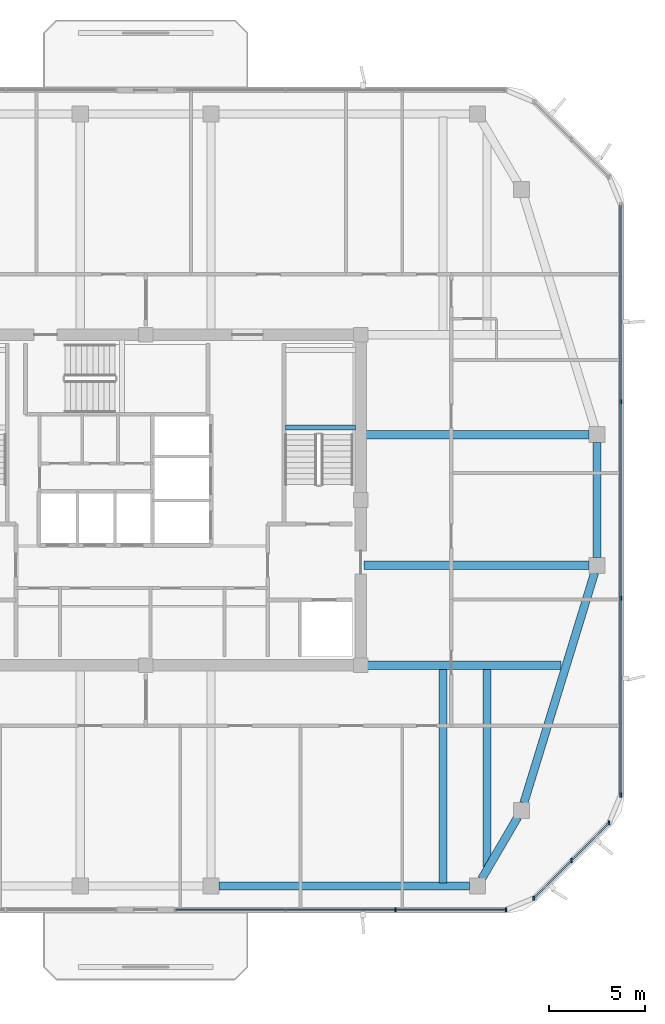
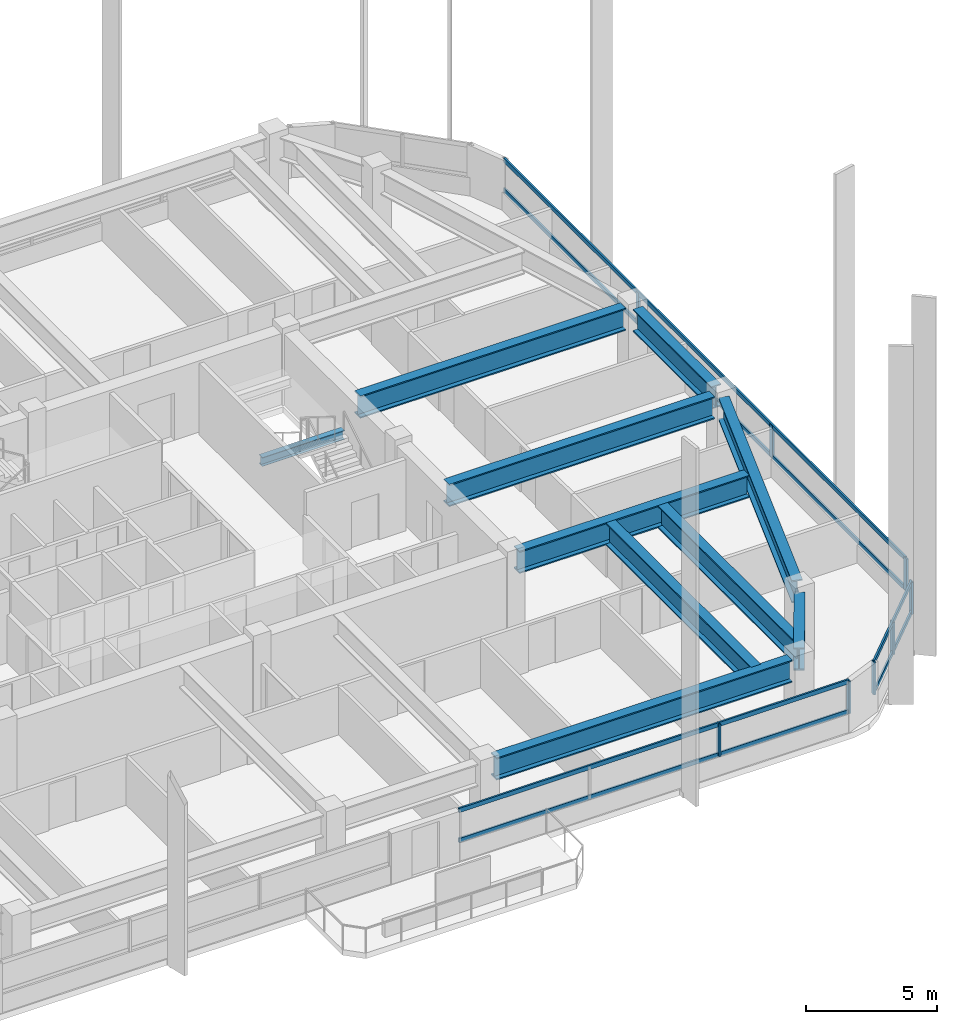
# One storey, part 3 of 13: 14 members, 10 beams, 3 elements without a shape of their own.
"""IFC4 building model written with IfcOpenShell, lengths in metres."""

from ifc_helpers import new_model, si_unit, derived_unit, direction, frame, origin, origin_2d, place, context, subcontext, project, spatial, rectangle, i_section, extrude, material, material_profile, profile_set, type_object, element, aggregate, save


model = new_model("IFC4")

# Units and contexts
model_context = context("Model", 3, precision=1e-05, world=origin(), true_north=direction((0.0, 1.0)))
body_context = subcontext(model_context, "Body", "Model", "MODEL_VIEW")
ifc_project = project(units=[si_unit("LENGTHUNIT", "METRE"), si_unit("AREAUNIT", "SQUARE_METRE"), si_unit("VOLUMEUNIT", "CUBIC_METRE"), si_unit("PLANEANGLEUNIT", "RADIAN"), si_unit("MASSUNIT", "GRAM", prefix="KILO"), derived_unit("THERMALTRANSMITTANCEUNIT", [(si_unit("POWERUNIT", "WATT"), 1), (si_unit("LENGTHUNIT", "METRE"), -2), (si_unit("THERMODYNAMICTEMPERATUREUNIT", "KELVIN"), -1)])], contexts=[model_context])

# Site, building, storey
site_placement = place(None, origin())
site = spatial("IfcSite", under=ifc_project, at=site_placement, CompositionType="ELEMENT")
building_placement = place(site_placement, origin())
building = spatial("IfcBuilding", under=site, at=building_placement, Name="Koralith Skygarden Medical Center", CompositionType="ELEMENT")
storey_placement = place(building_placement, frame((0.0, 0.0, 282.419921875)))
storey = spatial("IfcBuildingStorey", under=building, at=storey_placement, Name="L73", CompositionType="ELEMENT", Elevation=282.419921875)

# Curtain wall, members
ifc_material_1 = material(Name="Clear Laminated Glass", Category="glass")
curtain_wall_type = type_object("IfcCurtainWallType", Name="CW-6 Zone 5 Upper Clinical Curtain Wall", PredefinedType="NOTDEFINED", material=ifc_material_1)
curtain_wall_1_placement = place(storey_placement, origin())
curtain_wall_1 = element("IfcCurtainWall", 1, at=curtain_wall_1_placement, inside=storey, type_object=curtain_wall_type, Name="Curtain Wall CW-L73-S-R", PredefinedType="NOTDEFINED")
ifc_material_2 = material(Name="Aluminium 6063-T6", Category="aluminium")
ifc_material_profile_1 = material_profile(ifc_material_2, rectangle(XDim=0.0830078125, YDim=0.219970703125, at=origin_2d()), Name="MUL83X220")
ifc_profile_set_1 = profile_set([ifc_material_profile_1], Name="Aluminium 6063-T6")
member_type_1 = type_object("IfcMemberType", Name="CW-6 Extruded Mullion 83x220", PredefinedType="MULLION", material=ifc_profile_set_1)
member_1_placement = place(storey_placement, frame((50.010009765625, 4.580078125, 0.85009765625), z_axis=(0.0, 0.0, 1.0), x_axis=(1.0, 0.0, 0.0)))
member_1 = element("IfcMember", 2, at=member_1_placement, type_object=member_type_1, Name="CW-L73-S-R Mullion 3", PredefinedType="MULLION", context=body_context, shape_type="SweptSolid", body=[
    extrude(rectangle(XDim=0.0830078125, YDim=0.219970703125, at=origin_2d()), origin(), (0.0, 0.0, 1.0), 1.5),
])
member_2_placement = place(storey_placement, frame((55.7451171875, 4.580078125, 0.85009765625), z_axis=(0.0, 0.0, 1.0), x_axis=(1.0, 0.0, 0.0)))
member_2 = element("IfcMember", 3, at=member_2_placement, type_object=member_type_1, Name="CW-L73-S-R Mullion 4", PredefinedType="MULLION", context=body_context, shape_type="SweptSolid", body=[
    extrude(rectangle(XDim=0.0830078125, YDim=0.219970703125, at=origin_2d()), origin(), (0.0, 0.0, 1.0), 1.5),
])

curtain_wall_2_placement = place(storey_placement, origin())
curtain_wall_2 = element("IfcCurtainWall", 4, at=curtain_wall_2_placement, inside=storey, type_object=curtain_wall_type, Name="Curtain Wall CW-L73-SE", PredefinedType="NOTDEFINED")
member_3_placement = place(storey_placement, frame((57.196044921875, 5.180908203125, 0.85009765625), z_axis=(0.0, 0.0, 1.0), x_axis=(1.0, 0.0, 0.0)))
member_3 = element("IfcMember", 5, at=member_3_placement, type_object=member_type_1, Name="CW-L73-SE Mullion 1", PredefinedType="MULLION", context=body_context, shape_type="SweptSolid", body=[
    extrude(rectangle(XDim=0.0830078125, YDim=0.219970703125, at=origin_2d()), origin(), (0.0, 0.0, 1.0), 1.5),
])
member_4_placement = place(storey_placement, frame((59.156982421875, 7.14306640625, 0.85009765625), z_axis=(0.0, 0.0, 1.0), x_axis=(1.0, 0.0, 0.0)))
member_4 = element("IfcMember", 6, at=member_4_placement, type_object=member_type_1, Name="CW-L73-SE Mullion 2", PredefinedType="MULLION", context=body_context, shape_type="SweptSolid", body=[
    extrude(rectangle(XDim=0.0830078125, YDim=0.219970703125, at=origin_2d()), origin(), (0.0, 0.0, 1.0), 1.5),
])
member_5_placement = place(storey_placement, frame((61.118896484375, 9.10400390625, 0.85009765625), z_axis=(0.0, 0.0, 1.0), x_axis=(1.0, 0.0, 0.0)))
member_5 = element("IfcMember", 7, at=member_5_placement, type_object=member_type_1, Name="CW-L73-SE Mullion 3", PredefinedType="MULLION", context=body_context, shape_type="SweptSolid", body=[
    extrude(rectangle(XDim=0.0830078125, YDim=0.219970703125, at=origin_2d()), origin(), (0.0, 0.0, 1.0), 1.5),
])

curtain_wall_3_placement = place(storey_placement, origin())
curtain_wall_3 = element("IfcCurtainWall", 8, at=curtain_wall_3_placement, inside=storey, type_object=curtain_wall_type, Name="Curtain Wall CW-L73-E", PredefinedType="NOTDEFINED")
member_6_placement = place(storey_placement, frame((61.719970703125, 10.554931640625, 0.85009765625), z_axis=(0.0, 0.0, 1.0), x_axis=(1.0, 0.0, 0.0)))
member_6 = element("IfcMember", 9, at=member_6_placement, type_object=member_type_1, Name="CW-L73-E Mullion 1", PredefinedType="MULLION", context=body_context, shape_type="SweptSolid", body=[
    extrude(rectangle(XDim=0.0830078125, YDim=0.219970703125, at=origin_2d()), origin(), (0.0, 0.0, 1.0), 1.5),
])
member_7_placement = place(storey_placement, frame((61.719970703125, 20.784912109375, 0.85009765625), z_axis=(0.0, 0.0, 1.0), x_axis=(1.0, 0.0, 0.0)))
member_7 = element("IfcMember", 10, at=member_7_placement, type_object=member_type_1, Name="CW-L73-E Mullion 2", PredefinedType="MULLION", context=body_context, shape_type="SweptSolid", body=[
    extrude(rectangle(XDim=0.0830078125, YDim=0.219970703125, at=origin_2d()), origin(), (0.0, 0.0, 1.0), 1.5),
])
member_8_placement = place(storey_placement, frame((61.719970703125, 31.014892578125, 0.85009765625), z_axis=(0.0, 0.0, 1.0), x_axis=(1.0, 0.0, 0.0)))
member_8 = element("IfcMember", 11, at=member_8_placement, type_object=member_type_1, Name="CW-L73-E Mullion 3", PredefinedType="MULLION", context=body_context, shape_type="SweptSolid", body=[
    extrude(rectangle(XDim=0.0830078125, YDim=0.219970703125, at=origin_2d()), origin(), (0.0, 0.0, 1.0), 1.5),
])

# Member
ifc_material_profile_2 = material_profile(ifc_material_2, rectangle(XDim=0.077880859375, YDim=0.197998046875, at=origin_2d()), Name="TRN78X198")
ifc_profile_set_2 = profile_set([ifc_material_profile_2], Name="Aluminium 6063-T6")
member_type_2 = type_object("IfcMemberType", Name="CW-6 Thermal Transom 78x198", PredefinedType="USERDEFINED", material=ifc_profile_set_2)
member_9_placement = place(storey_placement, frame((38.5390625, 4.580078125, 0.900146484375), z_axis=(1.0, 0.0, 0.0), x_axis=(0.0, 1.0, 0.0)))
member_9 = element("IfcMember", 12, at=member_9_placement, type_object=member_type_2, Name="CW-L73-S-R Transom 1", ObjectType="TRANSOM", PredefinedType="USERDEFINED", context=body_context, shape_type="SweptSolid", body=[
    extrude(rectangle(XDim=0.077880859375, YDim=0.197998046875, at=origin_2d()), origin(), (0.0, 0.0, 1.0), 17.2060546875),
])

member_10_placement = place(storey_placement, frame((38.5390625, 4.580078125, 2.300048828125), z_axis=(1.0, 0.0, 0.0), x_axis=(0.0, 1.0, 0.0)))
member_10 = element("IfcMember", 13, at=member_10_placement, type_object=member_type_2, Name="CW-L73-S-R Transom 2", ObjectType="TRANSOM", PredefinedType="USERDEFINED", context=body_context, shape_type="SweptSolid", body=[
    extrude(rectangle(XDim=0.077880859375, YDim=0.197998046875, at=origin_2d()), origin(), (0.0, 0.0, 1.0), 17.2060546875),
])

aggregate(curtain_wall_1, [member_1, member_2, member_9, member_10])

member_11_placement = place(storey_placement, frame((57.196044921875, 5.180908203125, 0.900146484375), z_axis=(0.707084777957, 0.707128783731, 0.0), x_axis=(-0.707128783731, 0.707084777957, 0.0)))
member_11 = element("IfcMember", 14, at=member_11_placement, type_object=member_type_2, Name="CW-L73-SE Transom 1", ObjectType="TRANSOM", PredefinedType="USERDEFINED", context=body_context, shape_type="SweptSolid", body=[
    extrude(rectangle(XDim=0.077880859375, YDim=0.197998046875, at=origin_2d()), origin(), (0.0, 0.0, 1.0), 5.5478515625),
])

member_12_placement = place(storey_placement, frame((57.196044921875, 5.180908203125, 2.300048828125), z_axis=(0.707084777957, 0.707128783731, 0.0), x_axis=(-0.707128783731, 0.707084777957, 0.0)))
member_12 = element("IfcMember", 15, at=member_12_placement, type_object=member_type_2, Name="CW-L73-SE Transom 2", ObjectType="TRANSOM", PredefinedType="USERDEFINED", context=body_context, shape_type="SweptSolid", body=[
    extrude(rectangle(XDim=0.077880859375, YDim=0.197998046875, at=origin_2d()), origin(), (0.0, 0.0, 1.0), 5.5478515625),
])

aggregate(curtain_wall_2, [member_3, member_4, member_5, member_11, member_12])

member_13_placement = place(storey_placement, frame((61.719970703125, 10.554931640625, 0.900146484375), z_axis=(0.0, 1.0, 0.0), x_axis=(-1.0, 0.0, 0.0)))
member_13 = element("IfcMember", 16, at=member_13_placement, type_object=member_type_2, Name="CW-L73-E Transom 1", ObjectType="TRANSOM", PredefinedType="USERDEFINED", context=body_context, shape_type="SweptSolid", body=[
    extrude(rectangle(XDim=0.077880859375, YDim=0.197998046875, at=origin_2d()), origin(), (0.0, 0.0, 1.0), 30.690185546875),
])

member_14_placement = place(storey_placement, frame((61.719970703125, 10.554931640625, 2.300048828125), z_axis=(0.0, 1.0, 0.0), x_axis=(-1.0, 0.0, 0.0)))
member_14 = element("IfcMember", 17, at=member_14_placement, type_object=member_type_2, Name="CW-L73-E Transom 2", ObjectType="TRANSOM", PredefinedType="USERDEFINED", context=body_context, shape_type="SweptSolid", body=[
    extrude(rectangle(XDim=0.077880859375, YDim=0.197998046875, at=origin_2d()), origin(), (0.0, 0.0, 1.0), 30.690185546875),
])

aggregate(curtain_wall_3, [member_6, member_7, member_8, member_13, member_14])

# Beams
ifc_material_3 = material(Name="Steel ASTM A992 Grade 50", Category="steel")
ifc_material_profile_3 = material_profile(ifc_material_3, i_section(OverallWidth=0.260009765625, OverallDepth=0.4150390625, WebThickness=0.010009765625, FlangeThickness=0.016845703125, at=origin_2d()), Name="W16X67")
ifc_profile_set_3 = profile_set([ifc_material_profile_3], Name="Steel ASTM A992 Grade 50")
beam_type_1 = type_object("IfcBeamType", Name="Clinical Floor Joist W16X67", PredefinedType="JOIST", material=ifc_profile_set_3)
beam_1_placement = place(storey_placement, frame((44.280029296875, 29.659912109375, 1.39306640625), z_axis=(1.0, 0.0, 0.0), x_axis=(0.0, 1.0, 0.0)))
element("IfcBeam", 18, at=beam_1_placement, inside=storey, type_object=beam_type_1, Name="L73 Stair ST2 Half-Landing Support Beam 1A", PredefinedType="JOIST", context=body_context, shape_type="SweptSolid", body=[
    extrude(i_section(OverallWidth=0.260009765625, OverallDepth=0.4150390625, WebThickness=0.010009765625, FlangeThickness=0.016845703125, at=origin_2d()), origin(), (0.0, 0.0, 1.0), 3.639892578125),
])
ifc_material_profile_4 = material_profile(ifc_material_3, i_section(OverallWidth=0.427001953125, OverallDepth=1.041015625, WebThickness=0.031005859375, FlangeThickness=0.055908203125, at=origin_2d()), Name="W40X397")
ifc_profile_set_4 = profile_set([ifc_material_profile_4], Name="Steel ASTM A992 Grade 50")
beam_type_2 = type_object("IfcBeamType", Name="Crown Setback Transfer Girder W40X397", PredefinedType="USERDEFINED", material=ifc_profile_set_4)
beam_2_placement = place(storey_placement, frame((48.449951171875, 17.300048828125, 2.799072265625), z_axis=(1.0, 0.0, 0.0), x_axis=(0.0, 1.0, 0.0)))
element("IfcBeam", 19, at=beam_2_placement, inside=storey, type_object=beam_type_2, Name="L73 Setback Collector Chord ES", ObjectType="TRANSFER GIRDER", PredefinedType="USERDEFINED", context=body_context, shape_type="SweptSolid", body=[
    extrude(i_section(OverallWidth=0.427001953125, OverallDepth=1.041015625, WebThickness=0.031005859375, FlangeThickness=0.055908203125, at=origin_2d()), origin(), (0.0, 0.0, 1.0), 10.150146484375),
])
beam_3_placement = place(storey_placement, frame((52.468017578125, 17.14990234375, 2.799072265625), z_axis=(0.0, -1.0, 0.0), x_axis=(1.0, 0.0, 0.0)))
element("IfcBeam", 20, at=beam_3_placement, inside=storey, type_object=beam_type_2, Name="L73 Setback Transfer Girder STG-06", ObjectType="TRANSFER GIRDER", PredefinedType="USERDEFINED", context=body_context, shape_type="SweptSolid", body=[
    extrude(i_section(OverallWidth=0.427001953125, OverallDepth=1.041015625, WebThickness=0.031005859375, FlangeThickness=0.055908203125, at=origin_2d()), origin(), (0.0, 0.0, 1.0), 11.179931640625),
])
beam_4_placement = place(storey_placement, frame((54.760009765625, 17.14990234375, 2.799072265625), z_axis=(0.0, -1.0, 0.0), x_axis=(1.0, 0.0, 0.0)))
element("IfcBeam", 21, at=beam_4_placement, inside=storey, type_object=beam_type_2, Name="L73 Setback Transfer Girder STG-07", ObjectType="TRANSFER GIRDER", PredefinedType="USERDEFINED", context=body_context, shape_type="SweptSolid", body=[
    extrude(i_section(OverallWidth=0.427001953125, OverallDepth=1.041015625, WebThickness=0.031005859375, FlangeThickness=0.055908203125, at=origin_2d()), origin(), (0.0, 0.0, 1.0), 10.3388671875),
])
for number, where, z_axis, x_axis, name in (
    (22, (48.35009765625, 22.5, 2.799072265625), (1.0, 0.0, 0.0), (0.0, 1.0, 0.0), "L73 Setback Transfer Girder STG-08"),
    (23, (48.35009765625, 29.300048828125, 2.799072265625), (1.0, 0.0, 0.0), (0.0, 1.0, 0.0), "L73 Setback Transfer Girder STG-09"),
):
    element("IfcBeam", number, at=place(storey_placement, frame(where, z_axis=z_axis, x_axis=x_axis)), inside=storey, type_object=beam_type_2, Name=name, ObjectType="TRANSFER GIRDER", PredefinedType="USERDEFINED", context=body_context, shape_type="SweptSolid", body=[
        extrude(i_section(OverallWidth=0.427001953125, OverallDepth=1.041015625, WebThickness=0.031005859375, FlangeThickness=0.055908203125, at=origin_2d()), origin(), (0.0, 0.0, 1.0), 11.719970703125),
    ])
beam_5_placement = place(storey_placement, frame((40.81005859375, 5.820068359375, 2.799072265625), z_axis=(1.0, 0.0, 0.0), x_axis=(0.0, 1.0, 0.0)))
element("IfcBeam", 24, at=beam_5_placement, inside=storey, type_object=beam_type_2, Name="L73 Perimeter Spandrel Beam SP-05", ObjectType="TRANSFER GIRDER", PredefinedType="USERDEFINED", context=body_context, shape_type="SweptSolid", body=[
    extrude(i_section(OverallWidth=0.427001953125, OverallDepth=1.041015625, WebThickness=0.031005859375, FlangeThickness=0.055908203125, at=origin_2d()), origin(), (0.0, 0.0, 1.0), 13.0478515625),
])
beam_6_placement = place(storey_placement, frame((54.47509765625, 6.174072265625, 2.799072265625), z_axis=(0.50473571007, 0.863273921175, 0.0), x_axis=(-0.863273921175, 0.50473571007, 0.0)))
element("IfcBeam", 25, at=beam_6_placement, inside=storey, type_object=beam_type_2, Name="L73 Perimeter Spandrel Beam SP-06", ObjectType="TRANSFER GIRDER", PredefinedType="USERDEFINED", context=body_context, shape_type="SweptSolid", body=[
    extrude(i_section(OverallWidth=0.427001953125, OverallDepth=1.041015625, WebThickness=0.031005859375, FlangeThickness=0.055908203125, at=origin_2d()), origin(), (0.0, 0.0, 1.0), 3.720703125),
])
beam_7_placement = place(storey_placement, frame((56.679931640625, 10.132080078125, 2.799072265625), z_axis=(0.293743494914, 0.955884281279, 0.0), x_axis=(-0.955884281279, 0.293743494914, 0.0)))
element("IfcBeam", 26, at=beam_7_placement, inside=storey, type_object=beam_type_2, Name="L73 Perimeter Spandrel Beam SP-07", ObjectType="TRANSFER GIRDER", PredefinedType="USERDEFINED", context=body_context, shape_type="SweptSolid", body=[
    extrude(i_section(OverallWidth=0.427001953125, OverallDepth=1.041015625, WebThickness=0.031005859375, FlangeThickness=0.055908203125, at=origin_2d()), origin(), (0.0, 0.0, 1.0), 12.528564453125),
])
beam_8_placement = place(storey_placement, frame((60.47998046875, 22.909912109375, 2.799072265625), z_axis=(0.0, 1.0, 0.0), x_axis=(-1.0, 0.0, 0.0)))
element("IfcBeam", 27, at=beam_8_placement, inside=storey, type_object=beam_type_2, Name="L73 Perimeter Spandrel Beam SP-08", ObjectType="TRANSFER GIRDER", PredefinedType="USERDEFINED", context=body_context, shape_type="SweptSolid", body=[
    extrude(i_section(OverallWidth=0.427001953125, OverallDepth=1.041015625, WebThickness=0.031005859375, FlangeThickness=0.055908203125, at=origin_2d()), origin(), (0.0, 0.0, 1.0), 5.97998046875),
])

save(model, "model.ifc")
